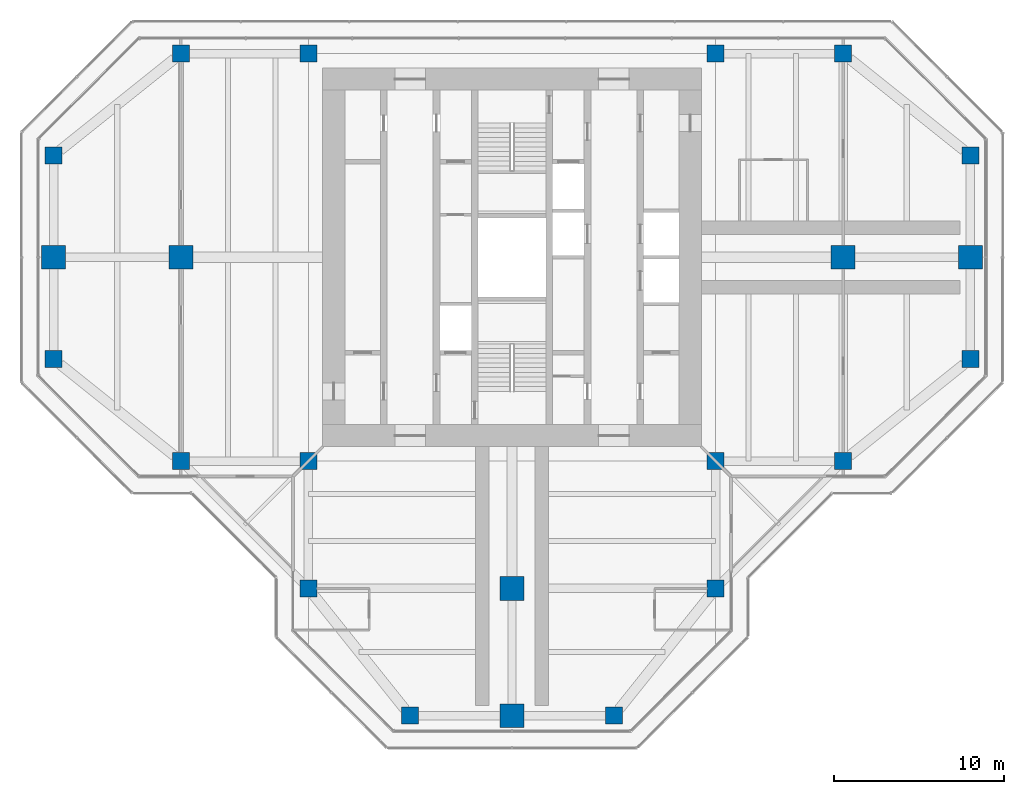
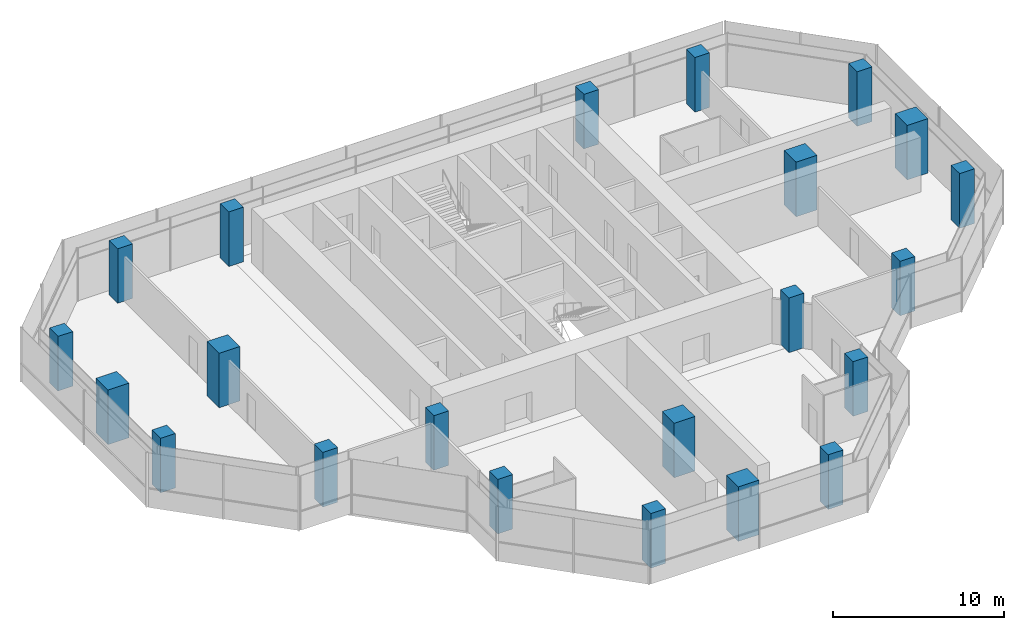
# One storey, part 1 of 15: 22 columns.
"""IFC4 building model written with IfcOpenShell, lengths in metres."""

from ifc_helpers import new_model, si_unit, direction, frame, origin, origin_2d, place, context, subcontext, project, spatial, rectangle, extrude, material, material_profile, profile_set, type_object, element, save


model = new_model("IFC4")

# Units and contexts
model_context = context("Model", 3, precision=1e-05, world=origin(), true_north=direction((0.0, 1.0)))
body_context = subcontext(model_context, "Body", "Model", "MODEL_VIEW")
ifc_project = project(units=[si_unit("LENGTHUNIT", "METRE"), si_unit("AREAUNIT", "SQUARE_METRE"), si_unit("VOLUMEUNIT", "CUBIC_METRE"), si_unit("PLANEANGLEUNIT", "RADIAN"), si_unit("MASSUNIT", "GRAM", prefix="KILO")], contexts=[model_context])

# Site, building, storey
site_placement = place(None, origin())
site = spatial("IfcSite", under=ifc_project, at=site_placement, CompositionType="ELEMENT")
building_placement = place(site_placement, origin())
building = spatial("IfcBuilding", under=site, at=building_placement, Name="Mizan Broadcast Tower", CompositionType="ELEMENT")
storey_placement = place(building_placement, frame((0.0, 0.0, 298.5)))
storey = spatial("IfcBuildingStorey", under=building, at=storey_placement, Name="L71", CompositionType="ELEMENT", Elevation=298.5)

# Columns
ifc_material_1 = material(Name="Concrete C70/85", Category="concrete")
ifc_material_profile_1 = material_profile(ifc_material_1, rectangle(XDim=1.0, YDim=1.0, at=origin_2d()), Name="RC 1000x1000")
ifc_profile_set_1 = profile_set([ifc_material_profile_1], Name="Concrete C70/85")
column_type_1 = type_object("IfcColumnType", Name="RC COLUMN 1000x1000 C70/85", PredefinedType="COLUMN", material=ifc_profile_set_1)
for number, where, z_axis, x_axis, name in (
    (1, (-6.0, -27.0, 0.0), (0.0, 0.0, 1.0), (1.0, 0.0, 0.0), "Column 5/B L71"),
    (2, (6.0, -27.0, 0.0), (0.0, 0.0, 1.0), (1.0, 0.0, 0.0), "Column 7/B L71"),
    (3, (-12.0, -19.5, 0.0), (0.0, 0.0, 1.0), (1.0, 0.0, 0.0), "Column 4/C L71"),
    (4, (12.0, -19.5, 0.0), (0.0, 0.0, 1.0), (1.0, 0.0, 0.0), "Column 8/C L71"),
    (5, (-19.5, -12.0, 0.0), (0.0, 0.0, 1.0), (1.0, 0.0, 0.0), "Column 3/D L71"),
    (6, (-12.0, -12.0, 0.0), (0.0, 0.0, 1.0), (1.0, 0.0, 0.0), "Column 4/D L71"),
    (7, (12.0, -12.0, 0.0), (0.0, 0.0, 1.0), (1.0, 0.0, 0.0), "Column 8/D L71"),
    (8, (19.5, -12.0, 0.0), (0.0, 0.0, 1.0), (1.0, 0.0, 0.0), "Column 9/D L71"),
    (9, (-27.0, -6.0, 0.0), (0.0, 0.0, 1.0), (1.0, 0.0, 0.0), "Column 2/E L71"),
    (10, (27.0, -6.0, 0.0), (0.0, 0.0, 1.0), (1.0, 0.0, 0.0), "Column 10/E L71"),
    (11, (-27.0, 6.0, 0.0), (0.0, 0.0, 1.0), (1.0, 0.0, 0.0), "Column 2/G L71"),
    (12, (27.0, 6.0, 0.0), (0.0, 0.0, 1.0), (1.0, 0.0, 0.0), "Column 10/G L71"),
    (13, (-19.5, 12.0, 0.0), (0.0, 0.0, 1.0), (1.0, 0.0, 0.0), "Column 3/H L71"),
    (14, (-12.0, 12.0, 0.0), (0.0, 0.0, 1.0), (1.0, 0.0, 0.0), "Column 4/H L71"),
    (15, (12.0, 12.0, 0.0), (0.0, 0.0, 1.0), (1.0, 0.0, 0.0), "Column 8/H L71"),
    (16, (19.5, 12.0, 0.0), (0.0, 0.0, 1.0), (1.0, 0.0, 0.0), "Column 9/H L71"),
):
    element("IfcColumn", number, at=place(storey_placement, frame(where, z_axis=z_axis, x_axis=x_axis)), inside=storey, type_object=column_type_1, Name=name, PredefinedType="COLUMN", context=body_context, shape_type="SweptSolid", body=[
        extrude(rectangle(XDim=1.0, YDim=1.0, at=origin_2d()), origin(), (0.0, 0.0, 1.0), 3.89990234375),
    ])
ifc_material_2 = material(Name="Concrete C70/85", Category="concrete")
ifc_material_profile_2 = material_profile(ifc_material_2, rectangle(XDim=1.39990234375, YDim=1.39990234375, at=origin_2d()), Name="RC 1400x1400")
ifc_profile_set_2 = profile_set([ifc_material_profile_2], Name="Concrete C70/85")
column_type_2 = type_object("IfcColumnType", Name="RC COLUMN 1400x1400 C70/85", PredefinedType="COLUMN", material=ifc_profile_set_2)
for number, where, z_axis, x_axis, name in (
    (17, (0.0, -27.0, 0.0), (0.0, 0.0, 1.0), (1.0, 0.0, 0.0), "Column 6/B L71"),
    (18, (0.0, -19.5, 0.0), (0.0, 0.0, 1.0), (1.0, 0.0, 0.0), "Column 6/C L71"),
    (19, (-27.0, 0.0, 0.0), (0.0, 0.0, 1.0), (1.0, 0.0, 0.0), "Column 2/F L71"),
    (20, (-19.5, 0.0, 0.0), (0.0, 0.0, 1.0), (1.0, 0.0, 0.0), "Column 3/F L71"),
    (21, (19.5, 0.0, 0.0), (0.0, 0.0, 1.0), (1.0, 0.0, 0.0), "Column 9/F L71"),
    (22, (27.0, 0.0, 0.0), (0.0, 0.0, 1.0), (1.0, 0.0, 0.0), "Column 10/F L71"),
):
    element("IfcColumn", number, at=place(storey_placement, frame(where, z_axis=z_axis, x_axis=x_axis)), inside=storey, type_object=column_type_2, Name=name, PredefinedType="COLUMN", context=body_context, shape_type="SweptSolid", body=[
        extrude(rectangle(XDim=1.39990234375, YDim=1.39990234375, at=origin_2d()), origin(), (0.0, 0.0, 1.0), 3.89990234375),
    ])

save(model, "model.ifc")
